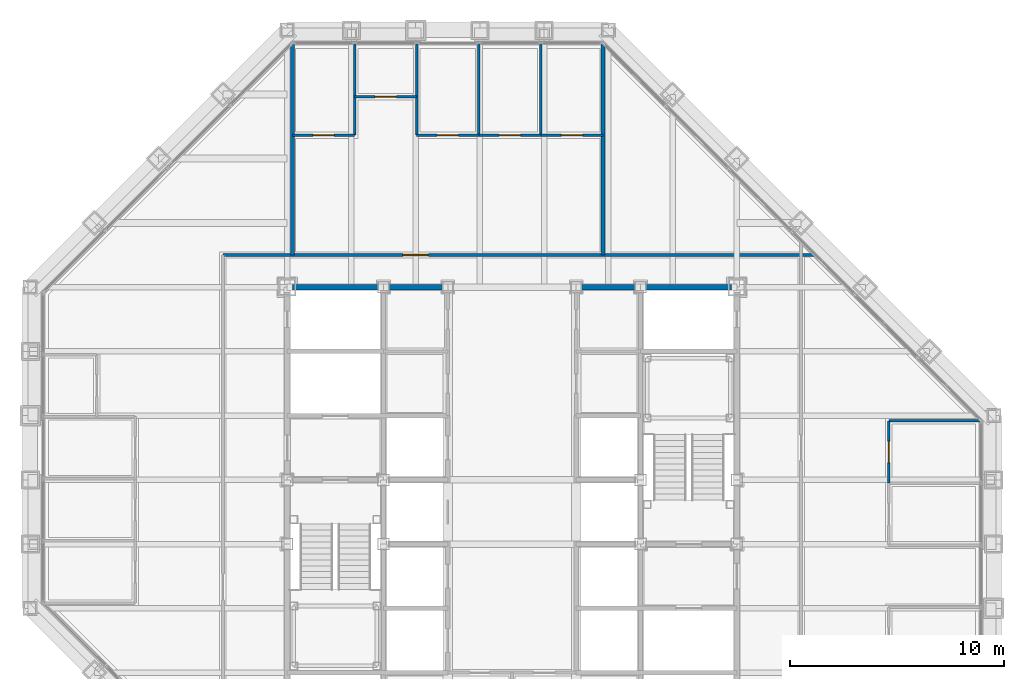
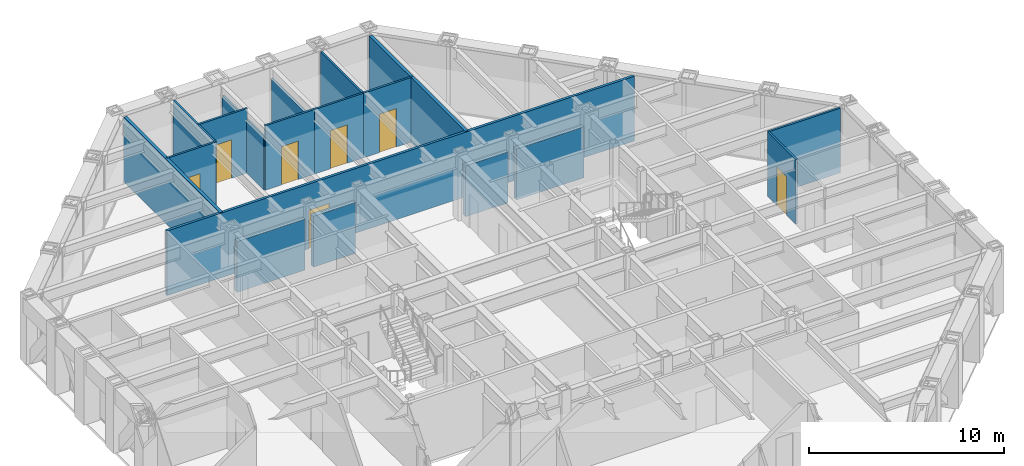
# One storey, part 13 of 16: 18 walls, 7 doors, 7 openings.
"""IFC4 building model written with IfcOpenShell, lengths in metres."""

import ifcopenshell
import ifcopenshell.guid

model = None  # the IFC model being written
_history = None  # IfcOwnerHistory: only IFC2X3 demands one
_inside = {}  # id of a spatial element -> (the spatial element, [elements in it])
_under = {}  # id of a project, library or spatial element -> (it, [spatial elements below it])
_declared = {}  # id of a project -> (the project, [libraries it declares])
_typed = {}  # id of a type object -> (the type object, [elements of that type])
_made_of = {}  # id of a material, layer set ... -> (it, [elements and type objects made of it])


def new_model(schema):
    """Start an empty IFC model of exactly this schema.

    Asked for "IFC4X3", IfcOpenShell would pick the latest addendum, in which some entities
    have other attributes; the version numbers below select the first issue.
    IFC2X3 requires an IfcOwnerHistory on every rooted entity: one is made here for all.
    """
    global model, _history
    if schema == "IFC4X3":
        model = ifcopenshell.file(schema_version=(4, 3, 0, 0))
    else:
        model = ifcopenshell.file(schema=schema)
    _inside.clear()
    _under.clear()
    _declared.clear()
    _typed.clear()
    _made_of.clear()
    _history = None
    if model.schema == "IFC2X3":
        org = make("IfcOrganization", Name="unknown")
        user = make(
            "IfcPersonAndOrganization",
            ThePerson=make("IfcPerson", FamilyName="unknown"),
            TheOrganization=org,
        )
        app = make(
            "IfcApplication",
            ApplicationDeveloper=org,
            Version="unknown",
            ApplicationFullName="unknown",
            ApplicationIdentifier="unknown",
        )
        _history = make(
            "IfcOwnerHistory",
            OwningUser=user,
            OwningApplication=app,
            ChangeAction="ADDED",
            CreationDate=0,
        )
    return model


def make(cls, **values):
    """One entity of the class cls with the attributes given. An attribute that is None is left unset."""
    return model.create_entity(
        cls, **{name: value for name, value in values.items() if value is not None}
    )


def rooted(cls, **values):
    """An entity with a GlobalId (a new one), such as an element, a storey or a relation."""
    return make(cls, GlobalId=ifcopenshell.guid.new(), OwnerHistory=_history, **values)


def si_unit(unit_type, name, prefix=None):
    """IfcSIUnit, for example si_unit("LENGTHUNIT", "METRE", prefix="MILLI")."""
    return make("IfcSIUnit", UnitType=unit_type, Prefix=prefix, Name=name)


def assignment(units):
    """IfcUnitAssignment: the units of a project."""
    return None if units is None else make("IfcUnitAssignment", Units=units)


def point(xyz):
    """IfcCartesianPoint."""
    return None if xyz is None else make("IfcCartesianPoint", Coordinates=xyz)


def direction(xyz):
    """IfcDirection."""
    return None if xyz is None else make("IfcDirection", DirectionRatios=xyz)


def frame(location, z_axis=None, x_axis=None):
    """IfcAxis2Placement3D, a coordinate frame: its origin and axes. An axis left out is left unset."""
    return make(
        "IfcAxis2Placement3D",
        Location=point(location),
        Axis=direction(z_axis),
        RefDirection=direction(x_axis),
    )


def frame_2d(location, x_axis=None):
    """IfcAxis2Placement2D, a coordinate frame in the plane: its origin and x axis."""
    return make(
        "IfcAxis2Placement2D", Location=point(location), RefDirection=direction(x_axis)
    )


def origin():
    """The frame at (0, 0, 0) with its axes left unset."""
    return frame((0.0, 0.0, 0.0))


def place(relative_to, where):
    """IfcLocalPlacement: puts the frame where relative to a parent placement (None: the world)."""
    return make(
        "IfcLocalPlacement", PlacementRelTo=relative_to, RelativePlacement=where
    )


def context(
    kind, dimensions, precision=None, world=None, true_north=None, identifier=None
):
    """IfcGeometricRepresentationContext, for example the 3D "Model" context."""
    return make(
        "IfcGeometricRepresentationContext",
        ContextIdentifier=identifier,
        ContextType=kind,
        CoordinateSpaceDimension=dimensions,
        Precision=precision,
        WorldCoordinateSystem=world,
        TrueNorth=true_north,
    )


def subcontext(parent, identifier, kind, view, scale=None):
    """IfcGeometricRepresentationSubContext, for example "Body" below "Model"."""
    return make(
        "IfcGeometricRepresentationSubContext",
        ContextIdentifier=identifier,
        ContextType=kind,
        ParentContext=parent,
        TargetScale=scale,
        TargetView=view,
    )


def project(units=None, contexts=None):
    """IfcProject with its units and contexts."""
    return rooted(
        "IfcProject",
        Name="project",
        RepresentationContexts=contexts,
        UnitsInContext=assignment(units),
    )


def spatial(cls, under=None, at=None, **own):
    """A site, building, storey or space (cls), placed at a placement, below another one or the project."""
    s = rooted(cls, ObjectPlacement=at, **own)
    if under is not None:
        _under.setdefault(under.id(), (under, []))[1].append(s)
    return s


def profile(cls, at=None, kind="AREA", **sizes):
    """A parametric profile (cls). Its sizes go by their IFC names, for example OverallWidth=200.0."""
    return make(cls, ProfileType=kind, Position=at, **sizes)


def rectangle(**sizes):
    """IfcRectangleProfileDef."""
    return profile("IfcRectangleProfileDef", **sizes)


def extrude(swept, where, along, depth):
    """IfcExtrudedAreaSolid: the profile swept, set in the frame where, extruded along a direction by depth."""
    return make(
        "IfcExtrudedAreaSolid",
        SweptArea=swept,
        Position=where,
        ExtrudedDirection=direction(along),
        Depth=depth,
    )


def shape(context_of_items, identifier, shape_type, items):
    """IfcShapeRepresentation: the items that make up one representation, for example the "Body"."""
    return make(
        "IfcShapeRepresentation",
        ContextOfItems=context_of_items,
        RepresentationIdentifier=identifier,
        RepresentationType=shape_type,
        Items=items,
    )


def material(Name=None, Category=None):
    """IfcMaterial."""
    return make("IfcMaterial", Name=Name, Category=Category)


def layer(
    of_material, thickness, ventilated=None, Name=None, Category=None, Priority=None
):
    """IfcMaterialLayer: one layer of a wall or slab, of a material (None: an air gap)."""
    return make(
        "IfcMaterialLayer",
        Material=of_material,
        LayerThickness=thickness,
        IsVentilated=ventilated,
        Name=Name,
        Category=Category,
        Priority=Priority,
    )


def layer_set(layers, Name=None):
    """IfcMaterialLayerSet."""
    return make("IfcMaterialLayerSet", MaterialLayers=layers, LayerSetName=Name)


def made_of(thing, what):
    """Note that an element or type object is made of a material, layer set ...; save() writes the relation."""
    if what is not None:
        _made_of.setdefault(what.id(), (what, []))[1].append(thing)
    return thing


def type_object(cls, material=None, **own):
    """A type object (cls), such as IfcWallType, which elements share."""
    return made_of(rooted(cls, **own), material)


def element(
    cls,
    number,
    at=None,
    inside=None,
    cuts=None,
    type_object=None,
    material=None,
    context=None,
    identifier="Body",
    shape_type=None,
    held_by="IfcProductDefinitionShape",
    body=None,
    shapes=None,
    **own,
):
    """One element of the class cls, such as IfcWall. Its Tag is "e" and its number.

    at: its placement. inside: the storey or other place that contains it. cuts: it is an
    opening in that element (IfcRelVoidsElement). A single representation is given by context,
    identifier, shape_type and body (its items); several are given by shapes. held_by: the class
    of the entity that holds the representations. save() writes the other relations.
    """
    e = rooted(cls, Tag="e%d" % number, ObjectPlacement=at, **own)
    if body is not None:
        shapes = [shape(context, identifier, shape_type, body)]
    if shapes is not None:
        e.Representation = make(held_by, Representations=shapes)
    if inside is not None:
        _inside.setdefault(inside.id(), (inside, []))[1].append(e)
    if cuts is not None:
        rooted(
            "IfcRelVoidsElement", RelatingBuildingElement=cuts, RelatedOpeningElement=e
        )
    if type_object is not None:
        _typed.setdefault(type_object.id(), (type_object, []))[1].append(e)
    return made_of(e, material)


def fill(opening, filler):
    """IfcRelFillsElement: the door or window that sits in an opening."""
    return rooted(
        "IfcRelFillsElement",
        RelatingOpeningElement=opening,
        RelatedBuildingElement=filler,
    )


def aggregate(whole, parts):
    """IfcRelAggregates: a whole, such as a stair, and the parts it consists of."""
    return rooted("IfcRelAggregates", RelatingObject=whole, RelatedObjects=parts)


def save(model, path):
    """Write the relations noted so far, then the file.

    IfcRelAggregates (storeys below a building ...), IfcRelContainedInSpatialStructure (elements
    in a storey), IfcRelDefinesByType, IfcRelAssociatesMaterial and IfcRelDeclares: one each for
    every whole, place, type object, material and project.
    """
    for whole, parts in _under.values():
        aggregate(whole, parts)
    for where, things in _inside.values():
        rooted(
            "IfcRelContainedInSpatialStructure",
            RelatedElements=things,
            RelatingStructure=where,
        )
    for kind, things in _typed.values():
        rooted("IfcRelDefinesByType", RelatedObjects=things, RelatingType=kind)
    for what, things in _made_of.values():
        rooted("IfcRelAssociatesMaterial", RelatedObjects=things, RelatingMaterial=what)
    for by, libraries in _declared.values():
        rooted("IfcRelDeclares", RelatingContext=by, RelatedDefinitions=libraries)
    model.write(path)


model = new_model("IFC4")

# Units and contexts
model_context = context("Model", 3, precision=1e-05, world=origin(), true_north=direction((0.0, 1.0)))
body_context = subcontext(model_context, "Body", "Model", "MODEL_VIEW")
ifc_project = project(units=[si_unit("LENGTHUNIT", "METRE"), si_unit("AREAUNIT", "SQUARE_METRE"), si_unit("VOLUMEUNIT", "CUBIC_METRE"), si_unit("PLANEANGLEUNIT", "RADIAN"), si_unit("MASSUNIT", "GRAM", prefix="KILO")], contexts=[model_context])

# Site, building, storey
site_placement = place(None, origin())
site = spatial("IfcSite", under=ifc_project, at=site_placement, CompositionType="ELEMENT")
building_placement = place(site_placement, origin())
building = spatial("IfcBuilding", under=site, at=building_placement, Name="Chuquiago Exchange Tower", CompositionType="ELEMENT")
storey_placement = place(building_placement, frame((0.0, 0.0, 243.300048828125)))
storey = spatial("IfcBuildingStorey", under=building, at=storey_placement, Name="L54", CompositionType="ELEMENT", Elevation=243.300048828125)

# Walls
ifc_material_1 = material(Name="Concrete masonry, fully grouted", Category="masonry")
ifc_layer_1 = layer(ifc_material_1, 0.25)
ifc_layer_set_1 = layer_set([ifc_layer_1], Name="W1 core wall 250")
wall_type_1 = type_object("IfcWallType", Name="W1 core wall 250", PredefinedType="SOLIDWALL", material=ifc_layer_set_1)
wall_1_placement = place(storey_placement, frame((12.25, 33.0, 0.0), z_axis=(0.0, 0.0, 1.0), x_axis=(1.0, 0.0, 0.0)))
element("IfcWall", 1, at=wall_1_placement, inside=storey, type_object=wall_type_1, Name="CW-L54-11-0", PredefinedType="SOLIDWALL", context=body_context, shape_type="SweptSolid", body=[
    extrude(rectangle(XDim=4.0, YDim=0.25, at=frame_2d((2.0, 0.0))), origin(), (0.0, 0.0, 1.0), 3.181396484375),
])
for number, where, z_axis, x_axis, name in (
    (2, (16.75, 33.0, 0.0), (0.0, 0.0, 1.0), (1.0, 0.0, 0.0), "CW-L54-11-1"),
    (3, (25.75, 33.0, 0.0), (0.0, 0.0, 1.0), (1.0, 0.0, 0.0), "CW-L54-12-0"),
):
    element("IfcWall", number, at=place(storey_placement, frame(where, z_axis=z_axis, x_axis=x_axis)), inside=storey, type_object=wall_type_1, Name=name, PredefinedType="SOLIDWALL", context=body_context, shape_type="SweptSolid", body=[
        extrude(rectangle(XDim=2.5, YDim=0.25, at=frame_2d((1.25, 0.0))), origin(), (0.0, 0.0, 1.0), 3.181396484375),
    ])
wall_2_placement = place(storey_placement, frame((28.75, 33.0, 0.0), z_axis=(0.0, 0.0, 1.0), x_axis=(1.0, 0.0, 0.0)))
element("IfcWall", 4, at=wall_2_placement, inside=storey, type_object=wall_type_1, Name="CW-L54-12-1", PredefinedType="SOLIDWALL", context=body_context, shape_type="SweptSolid", body=[
    extrude(rectangle(XDim=4.0, YDim=0.25, at=frame_2d((2.0, 0.0))), origin(), (0.0, 0.0, 1.0), 3.181396484375),
])

# Wall, opening, door
ifc_material_2 = material(Name="Gypsum board on steel studs, acoustic insulation", Category="steel")
ifc_layer_2 = layer(ifc_material_2, 0.14990234375)
ifc_layer_set_2 = layer_set([ifc_layer_2], Name="W11 corridor wall 150")
wall_type_2 = type_object("IfcWallType", Name="W11 corridor wall 150", PredefinedType="PARTITIONING", material=ifc_layer_set_2)
wall_3_placement = place(storey_placement, frame((9.0, 34.5, 0.0), z_axis=(0.0, 0.0, 1.0), x_axis=(1.0, 0.0, 0.0)))
wall_3 = element("IfcWall", 5, at=wall_3_placement, inside=storey, type_object=wall_type_2, Name="PW-L54-CN", PredefinedType="PARTITIONING", context=body_context, shape_type="SweptSolid", body=[
    extrude(rectangle(XDim=27.614501953125, YDim=0.14990234375, at=frame_2d((13.80712890625, 0.0))), origin(), (0.0, 0.0, 1.0), 4.0400390625),
])
opening_1_placement = place(wall_3_placement, frame((8.39990234375, 0.0, 0.0)))
opening_1 = element("IfcOpeningElement", 6, at=opening_1_placement, cuts=wall_3, Name="Opening L54-038", PredefinedType="OPENING", context=body_context, shape_type="SweptSolid", body=[
    extrude(rectangle(XDim=1.199951171875, YDim=2.39990234375, at=frame_2d((0.60009765625, 1.199951171875))), frame((0.0, 0.0849609375, 0.0), z_axis=(0.0, -1.0, 0.0), x_axis=(1.0, 0.0, 0.0)), (0.0, 0.0, 1.0), 0.169921875),
])
ifc_material_3 = material(Name="Timber door, laminate faced", Category="wood")
door_type_1 = type_object("IfcDoorType", Name="D13 suite entrance door 1200x2400", OperationType="SINGLE_SWING_LEFT", PredefinedType="DOOR", material=ifc_material_3)
door_1_placement = place(opening_1_placement, origin())
door_1 = element("IfcDoor", 7, at=door_1_placement, inside=storey, type_object=door_type_1, Name="North suite entrance door", OperationType="SINGLE_SWING_LEFT", OverallHeight=2.39990234375, OverallWidth=1.199951171875, PredefinedType="DOOR", context=body_context, shape_type="SweptSolid", body=[
    extrude(rectangle(XDim=1.199951171875, YDim=2.39990234375, at=frame_2d((0.60009765625, 1.199951171875))), frame((0.0, 0.02490234375, 0.0), z_axis=(0.0, -1.0, 0.0), x_axis=(1.0, 0.0, 0.0)), (0.0, 0.0, 1.0), 0.050048828125),
])
fill(opening_1, door_1)

# Walls
ifc_material_4 = material(Name="Gypsum board on twin steel studs, acoustic insulation", Category="steel")
ifc_layer_3 = layer(ifc_material_4, 0.175048828125)
ifc_layer_set_3 = layer_set([ifc_layer_3], Name="W12 tenant demising wall 175")
wall_type_3 = type_object("IfcWallType", Name="W12 tenant demising wall 175", PredefinedType="PARTITIONING", material=ifc_layer_set_3)
for number, where, z_axis, x_axis, name in (
    (8, (12.24853515625, 44.333984375, 0.0), (0.0, 0.0, 1.0), (0.0, -1.0, 0.0), "PW-L54-DN01225"),
    (9, (26.75146484375, 44.333984375, 0.0), (0.0, 0.0, 1.0), (0.0, -1.0, 0.0), "PW-L54-DN02675"),
):
    element("IfcWall", number, at=place(storey_placement, frame(where, z_axis=z_axis, x_axis=x_axis)), inside=storey, type_object=wall_type_3, Name=name, PredefinedType="PARTITIONING", context=body_context, shape_type="SweptSolid", body=[
        extrude(rectangle(XDim=9.833984375, YDim=0.175048828125, at=frame_2d((4.9169921875, 0.0))), origin(), (0.0, 0.0, 1.0), 4.0400390625),
    ])
ifc_material_5 = material(Name="Gypsum board on steel studs", Category="steel")
ifc_layer_4 = layer(ifc_material_5, 0.1201171875)
ifc_layer_set_4 = layer_set([ifc_layer_4], Name="W4 partition 120")
wall_type_4 = type_object("IfcWallType", Name="W4 partition 120", PredefinedType="PARTITIONING", material=ifc_layer_set_4)
wall_4_placement = place(storey_placement, frame((44.333984375, 26.75146484375, 0.0), z_axis=(0.0, 0.0, 1.0), x_axis=(-1.0, 0.0, 0.0)))
element("IfcWall", 10, at=wall_4_placement, inside=storey, type_object=wall_type_4, Name="PW-L54-E02675", PredefinedType="PARTITIONING", context=body_context, shape_type="SweptSolid", body=[
    extrude(rectangle(XDim=4.23388671875, YDim=0.1201171875, at=frame_2d((2.116943359375, 0.0))), origin(), (0.0, 0.0, 1.0), 4.0400390625),
])

# Wall, opening, door
wall_5_placement = place(storey_placement, frame((40.10009765625, 23.850830078125, 0.0), z_axis=(0.0, 0.0, 1.0), x_axis=(0.0, 1.0, 0.0)))
wall_5 = element("IfcWall", 11, at=wall_5_placement, inside=storey, type_object=wall_type_4, Name="PW-L54-EF02385", PredefinedType="PARTITIONING", context=body_context, shape_type="SweptSolid", body=[
    extrude(rectangle(XDim=2.900634765625, YDim=0.1201171875, at=frame_2d((1.4501953125, 0.0))), origin(), (0.0, 0.0, 1.0), 4.0400390625),
])
opening_2_placement = place(wall_5_placement, frame((0.9501953125, 0.0, 0.0)))
opening_2 = element("IfcOpeningElement", 12, at=opening_2_placement, cuts=wall_5, Name="Opening L54-027", PredefinedType="OPENING", context=body_context, shape_type="SweptSolid", body=[
    extrude(rectangle(XDim=1.0, YDim=2.39990234375, at=frame_2d((0.5, 1.199951171875))), frame((0.0, 0.070068359375, 0.0), z_axis=(0.0, -1.0, 0.0), x_axis=(1.0, 0.0, 0.0)), (0.0, 0.0, 1.0), 0.14013671875),
])
ifc_material_6 = material(Name="Timber door, laminate faced", Category="wood")
door_type_2 = type_object("IfcDoorType", Name="D9 room door 1000x2400", OperationType="SINGLE_SWING_LEFT", PredefinedType="DOOR", material=ifc_material_6)
door_2_placement = place(opening_2_placement, frame((1.0, 0.0, 0.0), z_axis=(0.0, 0.0, 1.0), x_axis=(-1.0, 0.0, 0.0)))
door_2 = element("IfcDoor", 13, at=door_2_placement, inside=storey, type_object=door_type_2, Name="Office door", OperationType="SINGLE_SWING_RIGHT", OverallHeight=2.39990234375, OverallWidth=1.0, PredefinedType="DOOR", context=body_context, shape_type="SweptSolid", body=[
    extrude(rectangle(XDim=1.0, YDim=2.39990234375, at=frame_2d((0.5, 1.199951171875))), frame((0.0, 0.02490234375, 0.0), z_axis=(0.0, -1.0, 0.0), x_axis=(1.0, 0.0, 0.0)), (0.0, 0.0, 1.0), 0.050048828125),
])
fill(opening_2, door_2)

# Walls
wall_6_placement = place(storey_placement, frame((15.149169921875, 44.347412109375, 0.0), z_axis=(0.0, 0.0, 1.0), x_axis=(0.0, -1.0, 0.0)))
element("IfcWall", 14, at=wall_6_placement, inside=storey, type_object=wall_type_4, Name="PW-L54-N01515", PredefinedType="PARTITIONING", context=body_context, shape_type="SweptSolid", body=[
    extrude(rectangle(XDim=4.247314453125, YDim=0.1201171875, at=frame_2d((2.12353515625, 0.0))), origin(), (0.0, 0.0, 1.0), 4.0400390625),
])
for number, where, z_axis, x_axis, name in (
    (15, (18.0498046875, 44.347412109375, 0.0), (0.0, 0.0, 1.0), (0.0, -1.0, 0.0), "PW-L54-N01805"),
    (16, (20.9501953125, 44.347412109375, 0.0), (0.0, 0.0, 1.0), (0.0, -1.0, 0.0), "PW-L54-N02095"),
):
    element("IfcWall", number, at=place(storey_placement, frame(where, z_axis=z_axis, x_axis=x_axis)), inside=storey, type_object=wall_type_4, Name=name, PredefinedType="PARTITIONING", context=body_context, shape_type="SweptSolid", body=[
        extrude(rectangle(XDim=4.247314453125, YDim=0.1201171875, at=frame_2d((2.12353515625, 0.0))), origin(), (0.0, 0.0, 1.0), 3.356689453125),
    ])
wall_7_placement = place(storey_placement, frame((23.850830078125, 44.347412109375, 0.0), z_axis=(0.0, 0.0, 1.0), x_axis=(0.0, -1.0, 0.0)))
element("IfcWall", 17, at=wall_7_placement, inside=storey, type_object=wall_type_4, Name="PW-L54-N02385", PredefinedType="PARTITIONING", context=body_context, shape_type="SweptSolid", body=[
    extrude(rectangle(XDim=4.247314453125, YDim=0.1201171875, at=frame_2d((2.12353515625, 0.0))), origin(), (0.0, 0.0, 1.0), 4.0400390625),
])

# Wall, opening, door
wall_8_placement = place(storey_placement, frame((12.24853515625, 40.10009765625, 0.0), z_axis=(0.0, 0.0, 1.0), x_axis=(1.0, 0.0, 0.0)))
wall_8 = element("IfcWall", 18, at=wall_8_placement, inside=storey, type_object=wall_type_4, Name="PW-L54-NF01225", PredefinedType="PARTITIONING", context=body_context, shape_type="SweptSolid", body=[
    extrude(rectangle(XDim=2.900634765625, YDim=0.1201171875, at=frame_2d((1.4501953125, 0.0))), origin(), (0.0, 0.0, 1.0), 4.0400390625),
])
opening_3_placement = place(wall_8_placement, frame((0.9501953125, 0.0, 0.0)))
opening_3 = element("IfcOpeningElement", 19, at=opening_3_placement, cuts=wall_8, Name="Opening L54-028", PredefinedType="OPENING", context=body_context, shape_type="SweptSolid", body=[
    extrude(rectangle(XDim=1.0, YDim=2.39990234375, at=frame_2d((0.5, 1.199951171875))), frame((0.0, 0.070068359375, 0.0), z_axis=(0.0, -1.0, 0.0), x_axis=(1.0, 0.0, 0.0)), (0.0, 0.0, 1.0), 0.14013671875),
])
door_3_placement = place(opening_3_placement, origin())
door_3 = element("IfcDoor", 20, at=door_3_placement, inside=storey, type_object=door_type_2, Name="Reception door", OperationType="SINGLE_SWING_LEFT", OverallHeight=2.39990234375, OverallWidth=1.0, PredefinedType="DOOR", context=body_context, shape_type="SweptSolid", body=[
    extrude(rectangle(XDim=1.0, YDim=2.39990234375, at=frame_2d((0.5, 1.199951171875))), frame((0.0, 0.02490234375, 0.0), z_axis=(0.0, -1.0, 0.0), x_axis=(1.0, 0.0, 0.0)), (0.0, 0.0, 1.0), 0.050048828125),
])
fill(opening_3, door_3)

wall_9_placement = place(storey_placement, frame((15.149169921875, 41.89990234375, 0.0), z_axis=(0.0, 0.0, 1.0), x_axis=(1.0, 0.0, 0.0)))
wall_9 = element("IfcWall", 21, at=wall_9_placement, inside=storey, type_object=wall_type_4, Name="PW-L54-NF01515", PredefinedType="PARTITIONING", context=body_context, shape_type="SweptSolid", body=[
    extrude(rectangle(XDim=2.900634765625, YDim=0.1201171875, at=frame_2d((1.4501953125, 0.0))), origin(), (0.0, 0.0, 1.0), 4.0400390625),
])
opening_4_placement = place(wall_9_placement, frame((0.9501953125, 0.0, 0.0)))
opening_4 = element("IfcOpeningElement", 22, at=opening_4_placement, cuts=wall_9, Name="Opening L54-029", PredefinedType="OPENING", context=body_context, shape_type="SweptSolid", body=[
    extrude(rectangle(XDim=1.0, YDim=2.39990234375, at=frame_2d((0.5, 1.199951171875))), frame((0.0, 0.070068359375, 0.0), z_axis=(0.0, -1.0, 0.0), x_axis=(1.0, 0.0, 0.0)), (0.0, 0.0, 1.0), 0.14013671875),
])
ifc_material_7 = material(Name="Timber frame door, full height glazed panel", Category="wood")
door_type_3 = type_object("IfcDoorType", Name="D14 glazed meeting room door 1000x2400", OperationType="SINGLE_SWING_LEFT", PredefinedType="DOOR", material=ifc_material_7)
door_4_placement = place(opening_4_placement, origin())
door_4 = element("IfcDoor", 23, at=door_4_placement, inside=storey, type_object=door_type_3, Name="Focus room door", OperationType="SINGLE_SWING_LEFT", OverallHeight=2.39990234375, OverallWidth=1.0, PredefinedType="DOOR", context=body_context, shape_type="SweptSolid", body=[
    extrude(rectangle(XDim=1.0, YDim=2.39990234375, at=frame_2d((0.5, 1.199951171875))), frame((0.0, 0.02490234375, 0.0), z_axis=(0.0, -1.0, 0.0), x_axis=(1.0, 0.0, 0.0)), (0.0, 0.0, 1.0), 0.050048828125),
])
fill(opening_4, door_4)

wall_10_placement = place(storey_placement, frame((18.0498046875, 40.10009765625, 0.0), z_axis=(0.0, 0.0, 1.0), x_axis=(1.0, 0.0, 0.0)))
wall_10 = element("IfcWall", 24, at=wall_10_placement, inside=storey, type_object=wall_type_4, Name="PW-L54-NF01805", PredefinedType="PARTITIONING", context=body_context, shape_type="SweptSolid", body=[
    extrude(rectangle(XDim=2.900390625, YDim=0.1201171875, at=frame_2d((1.4501953125, 0.0))), origin(), (0.0, 0.0, 1.0), 4.0400390625),
])
opening_5_placement = place(wall_10_placement, frame((0.9501953125, 0.0, 0.0)))
opening_5 = element("IfcOpeningElement", 25, at=opening_5_placement, cuts=wall_10, Name="Opening L54-030", PredefinedType="OPENING", context=body_context, shape_type="SweptSolid", body=[
    extrude(rectangle(XDim=1.0, YDim=2.39990234375, at=frame_2d((0.5, 1.199951171875))), frame((0.0, 0.070068359375, 0.0), z_axis=(0.0, -1.0, 0.0), x_axis=(1.0, 0.0, 0.0)), (0.0, 0.0, 1.0), 0.14013671875),
])
door_5_placement = place(opening_5_placement, origin())
door_5 = element("IfcDoor", 26, at=door_5_placement, inside=storey, type_object=door_type_2, Name="Office door", OperationType="SINGLE_SWING_RIGHT", OverallHeight=2.39990234375, OverallWidth=1.0, PredefinedType="DOOR", context=body_context, shape_type="SweptSolid", body=[
    extrude(rectangle(XDim=1.0, YDim=2.39990234375, at=frame_2d((0.5, 1.199951171875))), frame((0.0, 0.02490234375, 0.0), z_axis=(0.0, -1.0, 0.0), x_axis=(1.0, 0.0, 0.0)), (0.0, 0.0, 1.0), 0.050048828125),
])
fill(opening_5, door_5)

wall_11_placement = place(storey_placement, frame((20.9501953125, 40.10009765625, 0.0), z_axis=(0.0, 0.0, 1.0), x_axis=(1.0, 0.0, 0.0)))
wall_11 = element("IfcWall", 27, at=wall_11_placement, inside=storey, type_object=wall_type_4, Name="PW-L54-NF02095", PredefinedType="PARTITIONING", context=body_context, shape_type="SweptSolid", body=[
    extrude(rectangle(XDim=2.900634765625, YDim=0.1201171875, at=frame_2d((1.4501953125, 0.0))), origin(), (0.0, 0.0, 1.0), 4.0400390625),
])
opening_6_placement = place(wall_11_placement, frame((0.9501953125, 0.0, 0.0)))
opening_6 = element("IfcOpeningElement", 28, at=opening_6_placement, cuts=wall_11, Name="Opening L54-031", PredefinedType="OPENING", context=body_context, shape_type="SweptSolid", body=[
    extrude(rectangle(XDim=1.0, YDim=2.39990234375, at=frame_2d((0.5, 1.199951171875))), frame((0.0, 0.070068359375, 0.0), z_axis=(0.0, -1.0, 0.0), x_axis=(1.0, 0.0, 0.0)), (0.0, 0.0, 1.0), 0.14013671875),
])
door_6_placement = place(opening_6_placement, origin())
door_6 = element("IfcDoor", 29, at=door_6_placement, inside=storey, type_object=door_type_2, Name="Office door", OperationType="SINGLE_SWING_LEFT", OverallHeight=2.39990234375, OverallWidth=1.0, PredefinedType="DOOR", context=body_context, shape_type="SweptSolid", body=[
    extrude(rectangle(XDim=1.0, YDim=2.39990234375, at=frame_2d((0.5, 1.199951171875))), frame((0.0, 0.02490234375, 0.0), z_axis=(0.0, -1.0, 0.0), x_axis=(1.0, 0.0, 0.0)), (0.0, 0.0, 1.0), 0.050048828125),
])
fill(opening_6, door_6)

wall_12_placement = place(storey_placement, frame((23.850830078125, 40.10009765625, 0.0), z_axis=(0.0, 0.0, 1.0), x_axis=(1.0, 0.0, 0.0)))
wall_12 = element("IfcWall", 30, at=wall_12_placement, inside=storey, type_object=wall_type_4, Name="PW-L54-NF02385", PredefinedType="PARTITIONING", context=body_context, shape_type="SweptSolid", body=[
    extrude(rectangle(XDim=2.900634765625, YDim=0.1201171875, at=frame_2d((1.4501953125, 0.0))), origin(), (0.0, 0.0, 1.0), 4.0400390625),
])
opening_7_placement = place(wall_12_placement, frame((0.9501953125, 0.0, 0.0)))
opening_7 = element("IfcOpeningElement", 31, at=opening_7_placement, cuts=wall_12, Name="Opening L54-032", PredefinedType="OPENING", context=body_context, shape_type="SweptSolid", body=[
    extrude(rectangle(XDim=1.0, YDim=2.39990234375, at=frame_2d((0.5, 1.199951171875))), frame((0.0, 0.070068359375, 0.0), z_axis=(0.0, -1.0, 0.0), x_axis=(1.0, 0.0, 0.0)), (0.0, 0.0, 1.0), 0.14013671875),
])
door_7_placement = place(opening_7_placement, origin())
door_7 = element("IfcDoor", 32, at=door_7_placement, inside=storey, type_object=door_type_2, Name="Office door", OperationType="SINGLE_SWING_RIGHT", OverallHeight=2.39990234375, OverallWidth=1.0, PredefinedType="DOOR", context=body_context, shape_type="SweptSolid", body=[
    extrude(rectangle(XDim=1.0, YDim=2.39990234375, at=frame_2d((0.5, 1.199951171875))), frame((0.0, 0.02490234375, 0.0), z_axis=(0.0, -1.0, 0.0), x_axis=(1.0, 0.0, 0.0)), (0.0, 0.0, 1.0), 0.050048828125),
])
fill(opening_7, door_7)

save(model, "model.ifc")
